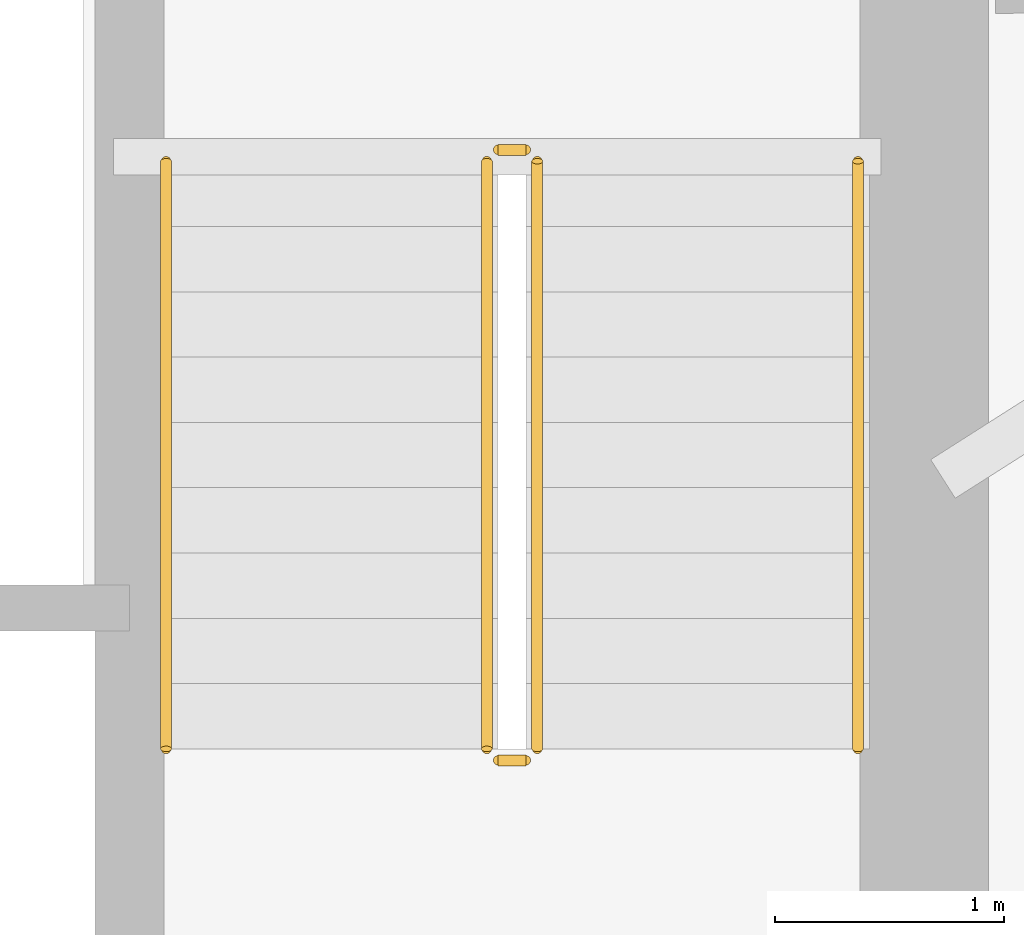
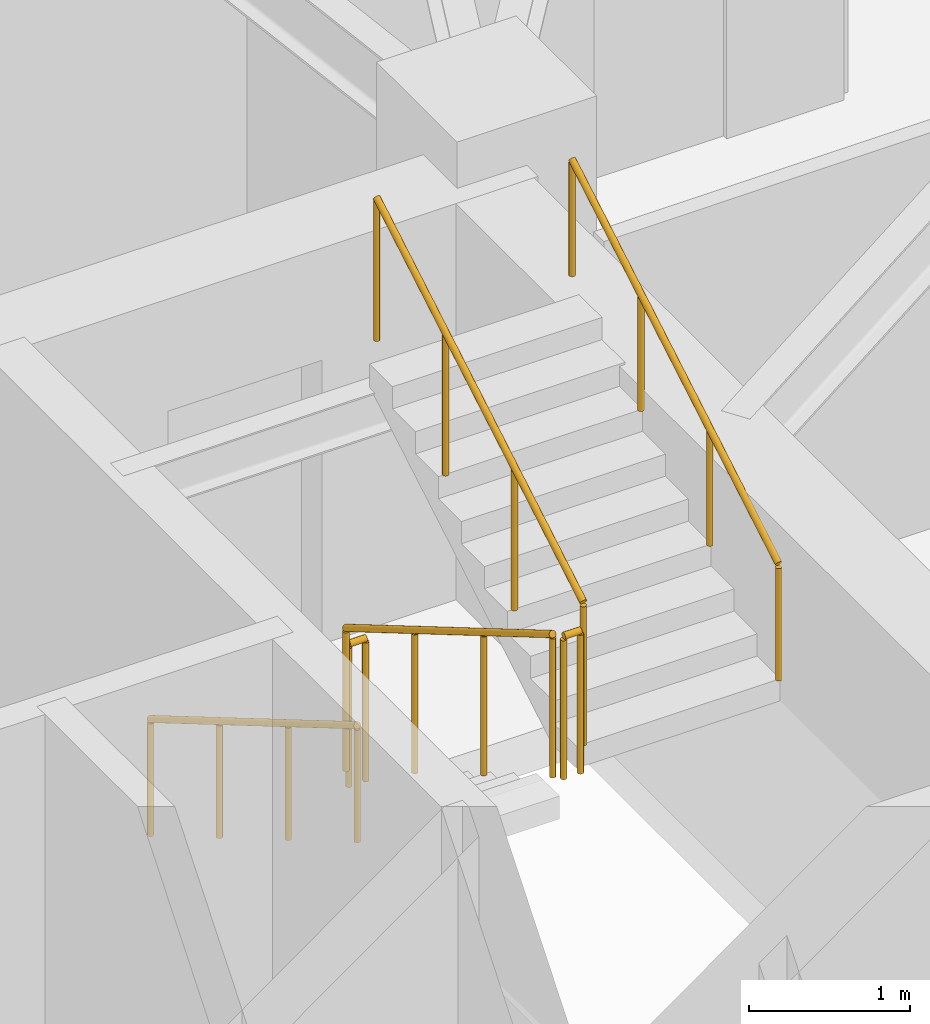
# One storey, part 18 of 19: 6 railings.
"""IFC4 building model written with IfcOpenShell, lengths in metres."""

from ifc_helpers import new_model, si_unit, direction, frame, origin, origin_2d, place, context, subcontext, project, spatial, circle, extrude, material, type_object, element, save


model = new_model("IFC4")

# Units and contexts
model_context = context("Model", 3, precision=1e-05, world=origin(), true_north=direction((0.0, 1.0)))
body_context = subcontext(model_context, "Body", "Model", "MODEL_VIEW")
ifc_project = project(units=[si_unit("LENGTHUNIT", "METRE"), si_unit("AREAUNIT", "SQUARE_METRE"), si_unit("VOLUMEUNIT", "CUBIC_METRE"), si_unit("PLANEANGLEUNIT", "RADIAN"), si_unit("MASSUNIT", "GRAM", prefix="KILO")], contexts=[model_context])

# Site, building, storey
site_placement = place(None, origin())
site = spatial("IfcSite", under=ifc_project, at=site_placement, CompositionType="ELEMENT")
building_placement = place(site_placement, origin())
building = spatial("IfcBuilding", under=site, at=building_placement, Name="Qobustan Lattice House", CompositionType="ELEMENT")
storey_placement = place(building_placement, frame((0.0, 0.0, 122.550048828125)))
storey = spatial("IfcBuildingStorey", under=building, at=storey_placement, Name="L34", CompositionType="ELEMENT", Elevation=122.550048828125)

# Railings
ifc_material_1 = material(Name="Brushed stainless steel handrail", Category="steel")
railing_type_1 = type_object("IfcRailingType", Name="RAL-HR-920", PredefinedType="HANDRAIL", material=ifc_material_1)
railing_1_placement = place(storey_placement, frame((15.179931640625, 3.5, 0.16748046875)))
element("IfcRailing", 1, at=railing_1_placement, inside=storey, type_object=railing_type_1, Name="L34 ST-E1 stair handrail 1", PredefinedType="HANDRAIL", context=body_context, shape_type="SweptSolid", body=[
    extrude(circle(Radius=0.02392578125, at=origin_2d()), frame((0.0, 0.0, 0.8759765625), z_axis=(0.0, -0.862113467892, 0.50671527358), x_axis=(1.0, 0.0, 0.0)), (0.0, 0.0, 1.0), 2.97509765625),
    extrude(circle(Radius=0.02099609375, at=origin_2d()), origin(), (0.0, 0.0, 1.0), 0.851806640625),
    extrude(circle(Radius=0.02099609375, at=origin_2d()), frame((0.0, -0.85498046875, 0.50244140625)), (0.0, 0.0, 1.0), 0.851806640625),
    extrude(circle(Radius=0.02099609375, at=origin_2d()), frame((0.0, -1.7099609375, 1.005126953125)), (0.0, 0.0, 1.0), 0.851806640625),
    extrude(circle(Radius=0.02099609375, at=origin_2d()), frame((0.0, -2.56494140625, 1.507568359375)), (0.0, 0.0, 1.0), 0.851806640625),
])
railing_2_placement = place(storey_placement, frame((18.199951171875, 0.93505859375, 1.842529296875)))
element("IfcRailing", 2, at=railing_2_placement, inside=storey, type_object=railing_type_1, Name="L34 ST-E1 stair handrail 2", PredefinedType="HANDRAIL", context=body_context, shape_type="SweptSolid", body=[
    extrude(circle(Radius=0.02392578125, at=origin_2d()), frame((0.0, 0.0, 0.8759765625), z_axis=(0.0, 0.862149314443, 0.506654280161), x_axis=(-1.0, 0.0, 0.0)), (0.0, 0.0, 1.0), 2.97509765625),
    extrude(circle(Radius=0.02099609375, at=origin_2d()), origin(), (0.0, 0.0, 1.0), 0.851806640625),
    extrude(circle(Radius=0.02099609375, at=origin_2d()), frame((0.0, 0.85498046875, 0.50244140625)), (0.0, 0.0, 1.0), 0.851806640625),
    extrude(circle(Radius=0.02099609375, at=origin_2d()), frame((0.0, 1.7099609375, 1.0048828125)), (0.0, 0.0, 1.0), 0.851806640625),
    extrude(circle(Radius=0.02099609375, at=origin_2d()), frame((0.0, 2.56494140625, 1.50732421875)), (0.0, 0.0, 1.0), 0.851806640625),
])
ifc_material_2 = material(Name="Painted galvanized steel guardrail", Category="steel")
railing_type_2 = type_object("IfcRailingType", Name="RAL-STG-1150", PredefinedType="GUARDRAIL", material=ifc_material_2)
railing_3_placement = place(storey_placement, frame((16.580078125, 3.5, 0.16748046875)))
element("IfcRailing", 3, at=railing_3_placement, inside=storey, type_object=railing_type_2, Name="L34 ST-E1 stair guard 1", PredefinedType="GUARDRAIL", context=body_context, shape_type="SweptSolid", body=[
    extrude(circle(Radius=0.02392578125, at=origin_2d()), frame((0.0, 0.0, 1.076171875), z_axis=(0.0, -0.862113467892, 0.50671527358), x_axis=(1.0, 0.0, 0.0)), (0.0, 0.0, 1.0), 2.97509765625),
    extrude(circle(Radius=0.02099609375, at=origin_2d()), origin(), (0.0, 0.0, 1.0), 1.052001953125),
    extrude(circle(Radius=0.02099609375, at=origin_2d()), frame((0.0, -0.85498046875, 0.50244140625)), (0.0, 0.0, 1.0), 1.052001953125),
    extrude(circle(Radius=0.02099609375, at=origin_2d()), frame((0.0, -1.7099609375, 1.005126953125)), (0.0, 0.0, 1.0), 1.052001953125),
    extrude(circle(Radius=0.02099609375, at=origin_2d()), frame((0.0, -2.56494140625, 1.507568359375)), (0.0, 0.0, 1.0), 1.052001953125),
])
railing_4_placement = place(storey_placement, frame((16.6298828125, 0.885009765625, 1.675048828125)))
element("IfcRailing", 4, at=railing_4_placement, inside=storey, type_object=railing_type_2, Name="L34 ST-E1 stair guard 2", PredefinedType="GUARDRAIL", context=body_context, shape_type="SweptSolid", body=[
    extrude(circle(Radius=0.02392578125, at=origin_2d()), frame((0.0, 0.0, 1.076171875), z_axis=(1.0, 0.0, 0.0), x_axis=(0.0, 1.0, 0.0)), (0.0, 0.0, 1.0), 0.1201171875),
    extrude(circle(Radius=0.02099609375, at=origin_2d()), origin(), (0.0, 0.0, 1.0), 1.052001953125),
    extrude(circle(Radius=0.02099609375, at=origin_2d()), frame((0.1201171875, 0.0, 0.0)), (0.0, 0.0, 1.0), 1.052001953125),
])
railing_5_placement = place(storey_placement, frame((16.800048828125, 0.93505859375, 1.842529296875)))
element("IfcRailing", 5, at=railing_5_placement, inside=storey, type_object=railing_type_2, Name="L34 ST-E1 stair guard 3", PredefinedType="GUARDRAIL", context=body_context, shape_type="SweptSolid", body=[
    extrude(circle(Radius=0.02392578125, at=origin_2d()), frame((0.0, 0.0, 1.076171875), z_axis=(0.0, 0.862149314443, 0.506654280161), x_axis=(-1.0, 0.0, 0.0)), (0.0, 0.0, 1.0), 2.97509765625),
    extrude(circle(Radius=0.02099609375, at=origin_2d()), origin(), (0.0, 0.0, 1.0), 1.052001953125),
    extrude(circle(Radius=0.02099609375, at=origin_2d()), frame((0.0, 0.85498046875, 0.50244140625)), (0.0, 0.0, 1.0), 1.052001953125),
    extrude(circle(Radius=0.02099609375, at=origin_2d()), frame((0.0, 1.7099609375, 1.0048828125)), (0.0, 0.0, 1.0), 1.052001953125),
    extrude(circle(Radius=0.02099609375, at=origin_2d()), frame((0.0, 2.56494140625, 1.50732421875)), (0.0, 0.0, 1.0), 1.052001953125),
])
railing_6_placement = place(storey_placement, frame((16.6298828125, 3.550048828125, 0.0)))
element("IfcRailing", 6, at=railing_6_placement, inside=storey, type_object=railing_type_2, Name="L34 ST-E1 stair guard 4", PredefinedType="GUARDRAIL", context=body_context, shape_type="SweptSolid", body=[
    extrude(circle(Radius=0.02392578125, at=origin_2d()), frame((0.0, 0.0, 1.076171875), z_axis=(1.0, 0.0, 0.0), x_axis=(0.0, 1.0, 0.0)), (0.0, 0.0, 1.0), 0.1201171875),
    extrude(circle(Radius=0.02099609375, at=origin_2d()), origin(), (0.0, 0.0, 1.0), 1.052001953125),
    extrude(circle(Radius=0.02099609375, at=origin_2d()), frame((0.1201171875, 0.0, 0.0)), (0.0, 0.0, 1.0), 1.052001953125),
])

save(model, "model.ifc")
